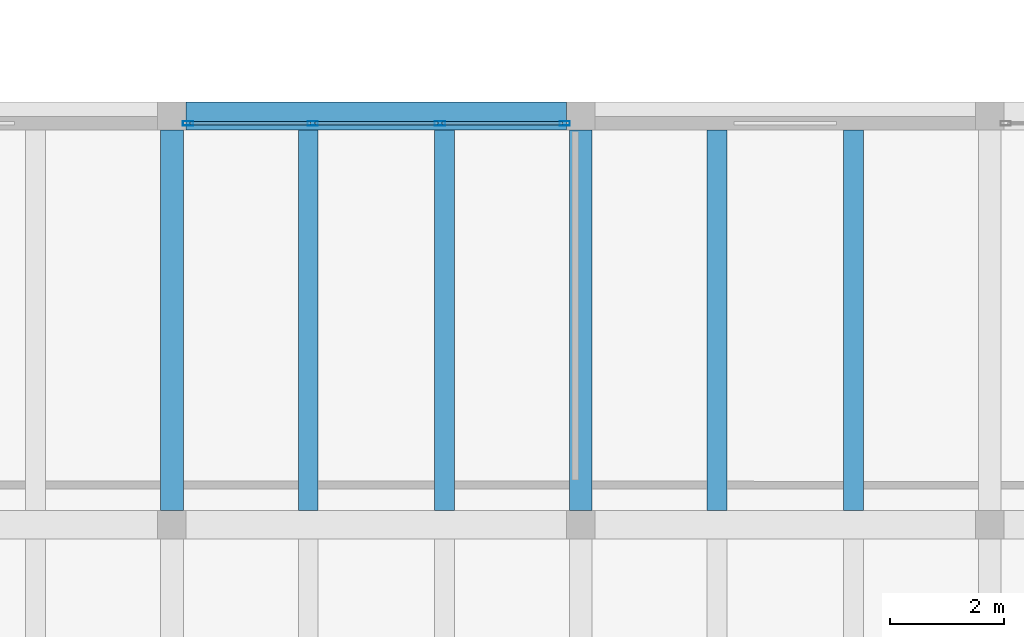
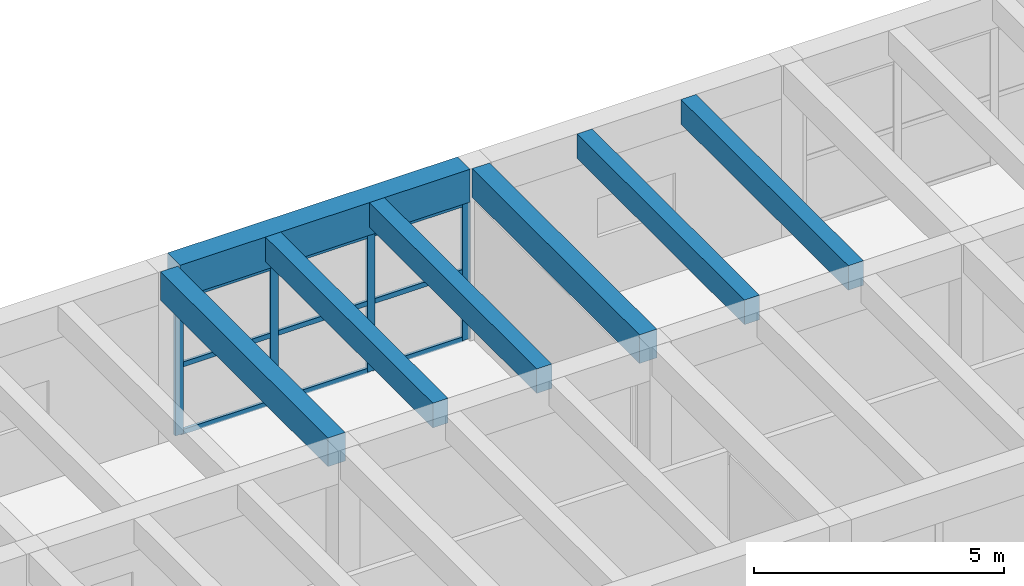
# One storey, part 109 of 153: 13 members, 7 beams, 1 element without a shape of its own.
"""IFC4 building model written with IfcOpenShell, lengths in metres."""

import ifcopenshell
import ifcopenshell.guid

model = None  # the IFC model being written
_history = None  # IfcOwnerHistory: only IFC2X3 demands one
_inside = {}  # id of a spatial element -> (the spatial element, [elements in it])
_under = {}  # id of a project, library or spatial element -> (it, [spatial elements below it])
_declared = {}  # id of a project -> (the project, [libraries it declares])
_typed = {}  # id of a type object -> (the type object, [elements of that type])
_made_of = {}  # id of a material, layer set ... -> (it, [elements and type objects made of it])


def new_model(schema):
    """Start an empty IFC model of exactly this schema.

    Asked for "IFC4X3", IfcOpenShell would pick the latest addendum, in which some entities
    have other attributes; the version numbers below select the first issue.
    IFC2X3 requires an IfcOwnerHistory on every rooted entity: one is made here for all.
    """
    global model, _history
    if schema == "IFC4X3":
        model = ifcopenshell.file(schema_version=(4, 3, 0, 0))
    else:
        model = ifcopenshell.file(schema=schema)
    _inside.clear()
    _under.clear()
    _declared.clear()
    _typed.clear()
    _made_of.clear()
    _history = None
    if model.schema == "IFC2X3":
        org = make("IfcOrganization", Name="unknown")
        user = make(
            "IfcPersonAndOrganization",
            ThePerson=make("IfcPerson", FamilyName="unknown"),
            TheOrganization=org,
        )
        app = make(
            "IfcApplication",
            ApplicationDeveloper=org,
            Version="unknown",
            ApplicationFullName="unknown",
            ApplicationIdentifier="unknown",
        )
        _history = make(
            "IfcOwnerHistory",
            OwningUser=user,
            OwningApplication=app,
            ChangeAction="ADDED",
            CreationDate=0,
        )
    return model


def make(cls, **values):
    """One entity of the class cls with the attributes given. An attribute that is None is left unset."""
    return model.create_entity(
        cls, **{name: value for name, value in values.items() if value is not None}
    )


def rooted(cls, **values):
    """An entity with a GlobalId (a new one), such as an element, a storey or a relation."""
    return make(cls, GlobalId=ifcopenshell.guid.new(), OwnerHistory=_history, **values)


def si_unit(unit_type, name, prefix=None):
    """IfcSIUnit, for example si_unit("LENGTHUNIT", "METRE", prefix="MILLI")."""
    return make("IfcSIUnit", UnitType=unit_type, Prefix=prefix, Name=name)


def assignment(units):
    """IfcUnitAssignment: the units of a project."""
    return None if units is None else make("IfcUnitAssignment", Units=units)


def point(xyz):
    """IfcCartesianPoint."""
    return None if xyz is None else make("IfcCartesianPoint", Coordinates=xyz)


def direction(xyz):
    """IfcDirection."""
    return None if xyz is None else make("IfcDirection", DirectionRatios=xyz)


def frame(location, z_axis=None, x_axis=None):
    """IfcAxis2Placement3D, a coordinate frame: its origin and axes. An axis left out is left unset."""
    return make(
        "IfcAxis2Placement3D",
        Location=point(location),
        Axis=direction(z_axis),
        RefDirection=direction(x_axis),
    )


def frame_2d(location, x_axis=None):
    """IfcAxis2Placement2D, a coordinate frame in the plane: its origin and x axis."""
    return make(
        "IfcAxis2Placement2D", Location=point(location), RefDirection=direction(x_axis)
    )


def origin():
    """The frame at (0, 0, 0) with its axes left unset."""
    return frame((0.0, 0.0, 0.0))


def origin_2d():
    """The frame at (0, 0) in the plane with its x axis left unset."""
    return frame_2d((0.0, 0.0))


def place(relative_to, where):
    """IfcLocalPlacement: puts the frame where relative to a parent placement (None: the world)."""
    return make(
        "IfcLocalPlacement", PlacementRelTo=relative_to, RelativePlacement=where
    )


def context(
    kind, dimensions, precision=None, world=None, true_north=None, identifier=None
):
    """IfcGeometricRepresentationContext, for example the 3D "Model" context."""
    return make(
        "IfcGeometricRepresentationContext",
        ContextIdentifier=identifier,
        ContextType=kind,
        CoordinateSpaceDimension=dimensions,
        Precision=precision,
        WorldCoordinateSystem=world,
        TrueNorth=true_north,
    )


def subcontext(parent, identifier, kind, view, scale=None):
    """IfcGeometricRepresentationSubContext, for example "Body" below "Model"."""
    return make(
        "IfcGeometricRepresentationSubContext",
        ContextIdentifier=identifier,
        ContextType=kind,
        ParentContext=parent,
        TargetScale=scale,
        TargetView=view,
    )


def project(units=None, contexts=None):
    """IfcProject with its units and contexts."""
    return rooted(
        "IfcProject",
        Name="project",
        RepresentationContexts=contexts,
        UnitsInContext=assignment(units),
    )


def spatial(cls, under=None, at=None, **own):
    """A site, building, storey or space (cls), placed at a placement, below another one or the project."""
    s = rooted(cls, ObjectPlacement=at, **own)
    if under is not None:
        _under.setdefault(under.id(), (under, []))[1].append(s)
    return s


def profile(cls, at=None, kind="AREA", **sizes):
    """A parametric profile (cls). Its sizes go by their IFC names, for example OverallWidth=200.0."""
    return make(cls, ProfileType=kind, Position=at, **sizes)


def rectangle(**sizes):
    """IfcRectangleProfileDef."""
    return profile("IfcRectangleProfileDef", **sizes)


def hollow_rectangle(**sizes):
    """IfcRectangleHollowProfileDef."""
    return profile("IfcRectangleHollowProfileDef", **sizes)


def extrude(swept, where, along, depth):
    """IfcExtrudedAreaSolid: the profile swept, set in the frame where, extruded along a direction by depth."""
    return make(
        "IfcExtrudedAreaSolid",
        SweptArea=swept,
        Position=where,
        ExtrudedDirection=direction(along),
        Depth=depth,
    )


def shape(context_of_items, identifier, shape_type, items):
    """IfcShapeRepresentation: the items that make up one representation, for example the "Body"."""
    return make(
        "IfcShapeRepresentation",
        ContextOfItems=context_of_items,
        RepresentationIdentifier=identifier,
        RepresentationType=shape_type,
        Items=items,
    )


def material(Name=None, Category=None):
    """IfcMaterial."""
    return make("IfcMaterial", Name=Name, Category=Category)


def material_profile(
    of_material, cross_section, Name=None, Category=None, Priority=None
):
    """IfcMaterialProfile: a cross section and its material."""
    return make(
        "IfcMaterialProfile",
        Name=Name,
        Material=of_material,
        Profile=cross_section,
        Priority=Priority,
        Category=Category,
    )


def profile_set(profiles, Name=None, composite=None):
    """IfcMaterialProfileSet."""
    return make(
        "IfcMaterialProfileSet",
        Name=Name,
        MaterialProfiles=profiles,
        CompositeProfile=composite,
    )


def made_of(thing, what):
    """Note that an element or type object is made of a material, layer set ...; save() writes the relation."""
    if what is not None:
        _made_of.setdefault(what.id(), (what, []))[1].append(thing)
    return thing


def type_object(cls, material=None, **own):
    """A type object (cls), such as IfcWallType, which elements share."""
    return made_of(rooted(cls, **own), material)


def element(
    cls,
    number,
    at=None,
    inside=None,
    cuts=None,
    type_object=None,
    material=None,
    context=None,
    identifier="Body",
    shape_type=None,
    held_by="IfcProductDefinitionShape",
    body=None,
    shapes=None,
    **own,
):
    """One element of the class cls, such as IfcWall. Its Tag is "e" and its number.

    at: its placement. inside: the storey or other place that contains it. cuts: it is an
    opening in that element (IfcRelVoidsElement). A single representation is given by context,
    identifier, shape_type and body (its items); several are given by shapes. held_by: the class
    of the entity that holds the representations. save() writes the other relations.
    """
    e = rooted(cls, Tag="e%d" % number, ObjectPlacement=at, **own)
    if body is not None:
        shapes = [shape(context, identifier, shape_type, body)]
    if shapes is not None:
        e.Representation = make(held_by, Representations=shapes)
    if inside is not None:
        _inside.setdefault(inside.id(), (inside, []))[1].append(e)
    if cuts is not None:
        rooted(
            "IfcRelVoidsElement", RelatingBuildingElement=cuts, RelatedOpeningElement=e
        )
    if type_object is not None:
        _typed.setdefault(type_object.id(), (type_object, []))[1].append(e)
    return made_of(e, material)


def aggregate(whole, parts):
    """IfcRelAggregates: a whole, such as a stair, and the parts it consists of."""
    return rooted("IfcRelAggregates", RelatingObject=whole, RelatedObjects=parts)


def save(model, path):
    """Write the relations noted so far, then the file.

    IfcRelAggregates (storeys below a building ...), IfcRelContainedInSpatialStructure (elements
    in a storey), IfcRelDefinesByType, IfcRelAssociatesMaterial and IfcRelDeclares: one each for
    every whole, place, type object, material and project.
    """
    for whole, parts in _under.values():
        aggregate(whole, parts)
    for where, things in _inside.values():
        rooted(
            "IfcRelContainedInSpatialStructure",
            RelatedElements=things,
            RelatingStructure=where,
        )
    for kind, things in _typed.values():
        rooted("IfcRelDefinesByType", RelatedObjects=things, RelatingType=kind)
    for what, things in _made_of.values():
        rooted("IfcRelAssociatesMaterial", RelatedObjects=things, RelatingMaterial=what)
    for by, libraries in _declared.values():
        rooted("IfcRelDeclares", RelatingContext=by, RelatedDefinitions=libraries)
    model.write(path)


model = new_model("IFC4")

# Units and contexts
model_context = context("Model", 3, precision=1e-05, world=origin(), true_north=direction((0.0, 1.0)))
body_context = subcontext(model_context, "Body", "Model", "MODEL_VIEW")
ifc_project = project(units=[si_unit("LENGTHUNIT", "METRE"), si_unit("AREAUNIT", "SQUARE_METRE"), si_unit("VOLUMEUNIT", "CUBIC_METRE"), si_unit("PLANEANGLEUNIT", "RADIAN"), si_unit("MASSUNIT", "GRAM", prefix="KILO")], contexts=[model_context])

# Site, building, storey
site_placement = place(None, origin())
site = spatial("IfcSite", under=ifc_project, at=site_placement, CompositionType="ELEMENT")
building_placement = place(site_placement, origin())
building = spatial("IfcBuilding", under=site, at=building_placement, Name="Bramvelor Terrace Health Centre", CompositionType="ELEMENT")
storey_placement = place(building_placement, frame((0.0, 0.0, 4.800048828125)))
storey = spatial("IfcBuildingStorey", under=building, at=storey_placement, Name="L02", CompositionType="ELEMENT", Elevation=4.800048828125)

# Beams
ifc_material_1 = material(Name="Concrete C40/50", Category="concrete")
ifc_material_profile_1 = material_profile(ifc_material_1, rectangle(XDim=0.39990234375, YDim=0.699951171875, at=origin_2d()), Name="RC 400x700")
ifc_profile_set_1 = profile_set([ifc_material_profile_1], Name="Concrete C40/50")
beam_type_1 = type_object("IfcBeamType", Name="BM-RC-G700", PredefinedType="BEAM", material=ifc_profile_set_1)
for number, where, z_axis, x_axis, name in (
    (1, (129.60009765625, 57.85009765625, 3.849853515625), (0.0, 1.0, 0.0), (-1.0, 0.0, 0.0), "L02 Floor Girder"),
    (2, (136.800048828125, 57.85009765625, 3.849853515625), (0.0, 1.0, 0.0), (-1.0, 0.0, 0.0), "L02 Floor Girder"),
):
    element("IfcBeam", number, at=place(storey_placement, frame(where, z_axis=z_axis, x_axis=x_axis)), inside=storey, type_object=beam_type_1, Name=name, PredefinedType="BEAM", context=body_context, shape_type="SweptSolid", body=[
        extrude(rectangle(XDim=0.39990234375, YDim=0.699951171875, at=origin_2d()), origin(), (0.0, 0.0, 1.0), 6.699951171875),
    ])
ifc_material_2 = material(Name="Concrete C40/50", Category="concrete")
ifc_material_profile_2 = material_profile(ifc_material_2, rectangle(XDim=0.5, YDim=0.800048828125, at=origin_2d()), Name="RC 500x800")
ifc_profile_set_2 = profile_set([ifc_material_profile_2], Name="Concrete C40/50")
beam_type_2 = type_object("IfcBeamType", Name="BM-RC-G800", PredefinedType="BEAM", material=ifc_profile_set_2)
beam_placement = place(storey_placement, frame((129.85009765625, 64.800048828125, 3.800048828125), z_axis=(1.0, 0.0, 0.0), x_axis=(0.0, 1.0, 0.0)))
element("IfcBeam", 3, at=beam_placement, inside=storey, type_object=beam_type_2, Name="L02 Floor Girder", PredefinedType="BEAM", context=body_context, shape_type="SweptSolid", body=[
    extrude(rectangle(XDim=0.5, YDim=0.800048828125, at=origin_2d()), origin(), (0.0, 0.0, 1.0), 6.699951171875),
])
ifc_material_3 = material(Name="Concrete C40/50", Category="concrete")
ifc_material_profile_3 = material_profile(ifc_material_3, rectangle(XDim=0.35009765625, YDim=0.60009765625, at=origin_2d()), Name="RC 350x600")
ifc_profile_set_3 = profile_set([ifc_material_profile_3], Name="Concrete C40/50")
beam_type_3 = type_object("IfcBeamType", Name="BM-RC-J600", PredefinedType="JOIST", material=ifc_profile_set_3)
for number, where, z_axis, x_axis, name in (
    (4, (132.0, 57.85009765625, 3.89990234375), (0.0, 1.0, 0.0), (-1.0, 0.0, 0.0), "L02 Secondary Floor Joist"),
    (5, (134.39990234375, 57.85009765625, 3.89990234375), (0.0, 1.0, 0.0), (-1.0, 0.0, 0.0), "L02 Secondary Floor Joist"),
    (6, (139.199951171875, 57.85009765625, 3.89990234375), (0.0, 1.0, 0.0), (-1.0, 0.0, 0.0), "L02 Secondary Floor Joist"),
    (7, (141.60009765625, 57.85009765625, 3.89990234375), (0.0, 1.0, 0.0), (-1.0, 0.0, 0.0), "L02 Secondary Floor Joist"),
):
    element("IfcBeam", number, at=place(storey_placement, frame(where, z_axis=z_axis, x_axis=x_axis)), inside=storey, type_object=beam_type_3, Name=name, PredefinedType="JOIST", context=body_context, shape_type="SweptSolid", body=[
        extrude(rectangle(XDim=0.35009765625, YDim=0.60009765625, at=origin_2d()), origin(), (0.0, 0.0, 1.0), 6.699951171875),
    ])

# Curtain wall, members
ifc_material_4 = material(Name="Anodized aluminium and double low-E glass", Category="aluminium")
curtain_wall_type = type_object("IfcCurtainWallType", Name="CW-SYS-16", PredefinedType="NOTDEFINED", material=ifc_material_4)
curtain_wall_placement = place(storey_placement, origin())
curtain_wall = element("IfcCurtainWall", 8, at=curtain_wall_placement, inside=storey, type_object=curtain_wall_type, Name="L02 Unitized Curtain Wall 103", PredefinedType="NOTDEFINED")
ifc_material_5 = material(Name="Anodized aluminium 6063-T6", Category="aluminium")
ifc_material_profile_4 = material_profile(ifc_material_5, hollow_rectangle(XDim=0.074951171875, YDim=0.179931640625, WallThickness=0.00341796875, at=origin_2d()), Name="ALU-MUL 75x180x3.5")
ifc_profile_set_4 = profile_set([ifc_material_profile_4], Name="Anodized aluminium 6063-T6")
member_type_1 = type_object("IfcMemberType", Name="CW-MUL-65x180", PredefinedType="MULLION", material=ifc_profile_set_4)
member_1_placement = place(storey_placement, frame((129.882568359375, 64.669921875, 0.0), z_axis=(0.0, 0.0, 1.0), x_axis=(0.0, 1.0, 0.0)))
member_1 = element("IfcMember", 9, at=member_1_placement, type_object=member_type_1, Name="CW-16 mullion 1", PredefinedType="MULLION", context=body_context, shape_type="SweptSolid", body=[
    extrude(hollow_rectangle(XDim=0.074951171875, YDim=0.179931640625, WallThickness=0.00341796875, at=origin_2d()), origin(), (0.0, 0.0, 1.0), 3.35986328125),
])
member_2_placement = place(storey_placement, frame((132.081787109375, 64.669921875, 0.0), z_axis=(0.0, 0.0, 1.0), x_axis=(0.0, 1.0, 0.0)))
member_2 = element("IfcMember", 10, at=member_2_placement, type_object=member_type_1, Name="CW-16 mullion 2", PredefinedType="MULLION", context=body_context, shape_type="SweptSolid", body=[
    extrude(hollow_rectangle(XDim=0.074951171875, YDim=0.179931640625, WallThickness=0.00341796875, at=origin_2d()), origin(), (0.0, 0.0, 1.0), 3.35986328125),
])
member_3_placement = place(storey_placement, frame((134.318359375, 64.669921875, 0.0), z_axis=(0.0, 0.0, 1.0), x_axis=(0.0, 1.0, 0.0)))
member_3 = element("IfcMember", 11, at=member_3_placement, type_object=member_type_1, Name="CW-16 mullion 3", PredefinedType="MULLION", context=body_context, shape_type="SweptSolid", body=[
    extrude(hollow_rectangle(XDim=0.074951171875, YDim=0.179931640625, WallThickness=0.00341796875, at=origin_2d()), origin(), (0.0, 0.0, 1.0), 3.35986328125),
])
member_4_placement = place(storey_placement, frame((136.517578125, 64.669921875, 0.0), z_axis=(0.0, 0.0, 1.0), x_axis=(0.0, 1.0, 0.0)))
member_4 = element("IfcMember", 12, at=member_4_placement, type_object=member_type_1, Name="CW-16 mullion 4", PredefinedType="MULLION", context=body_context, shape_type="SweptSolid", body=[
    extrude(hollow_rectangle(XDim=0.074951171875, YDim=0.179931640625, WallThickness=0.00341796875, at=origin_2d()), origin(), (0.0, 0.0, 1.0), 3.35986328125),
])
ifc_material_6 = material(Name="Anodized aluminium 6063-T6", Category="aluminium")
ifc_material_profile_5 = material_profile(ifc_material_6, hollow_rectangle(XDim=0.06494140625, YDim=0.1201171875, WallThickness=0.0029296875, at=origin_2d()), Name="ALU-TRN 65x120x3.0")
ifc_profile_set_5 = profile_set([ifc_material_profile_5], Name="Anodized aluminium 6063-T6")
member_type_2 = type_object("IfcMemberType", Name="CW-TRN-65x150", PredefinedType="USERDEFINED", material=ifc_profile_set_5)
member_5_placement = place(storey_placement, frame((129.919921875, 64.669921875, 0.032470703125), z_axis=(1.0, 0.0, 0.0), x_axis=(0.0, 1.0, 0.0)))
member_5 = element("IfcMember", 13, at=member_5_placement, type_object=member_type_2, Name="CW-16 transom 1.1", ObjectType="TRANSOM", PredefinedType="USERDEFINED", context=body_context, shape_type="SweptSolid", body=[
    extrude(hollow_rectangle(XDim=0.06494140625, YDim=0.1201171875, WallThickness=0.0029296875, at=origin_2d()), origin(), (0.0, 0.0, 1.0), 2.124267578125),
])
member_6_placement = place(storey_placement, frame((129.919921875, 64.669921875, 1.679931640625), z_axis=(1.0, 0.0, 0.0), x_axis=(0.0, 1.0, 0.0)))
member_6 = element("IfcMember", 14, at=member_6_placement, type_object=member_type_2, Name="CW-16 transom 1.2", ObjectType="TRANSOM", PredefinedType="USERDEFINED", context=body_context, shape_type="SweptSolid", body=[
    extrude(hollow_rectangle(XDim=0.06494140625, YDim=0.1201171875, WallThickness=0.0029296875, at=origin_2d()), origin(), (0.0, 0.0, 1.0), 2.124267578125),
])
member_7_placement = place(storey_placement, frame((129.919921875, 64.669921875, 3.327392578125), z_axis=(1.0, 0.0, 0.0), x_axis=(0.0, 1.0, 0.0)))
member_7 = element("IfcMember", 15, at=member_7_placement, type_object=member_type_2, Name="CW-16 transom 1.3", ObjectType="TRANSOM", PredefinedType="USERDEFINED", context=body_context, shape_type="SweptSolid", body=[
    extrude(hollow_rectangle(XDim=0.06494140625, YDim=0.1201171875, WallThickness=0.0029296875, at=origin_2d()), origin(), (0.0, 0.0, 1.0), 2.124267578125),
])
member_8_placement = place(storey_placement, frame((132.119140625, 64.669921875, 0.032470703125), z_axis=(1.0, 0.0, 0.0), x_axis=(0.0, 1.0, 0.0)))
member_8 = element("IfcMember", 16, at=member_8_placement, type_object=member_type_2, Name="CW-16 transom 2.1", ObjectType="TRANSOM", PredefinedType="USERDEFINED", context=body_context, shape_type="SweptSolid", body=[
    extrude(hollow_rectangle(XDim=0.06494140625, YDim=0.1201171875, WallThickness=0.0029296875, at=origin_2d()), origin(), (0.0, 0.0, 1.0), 2.16162109375),
])
member_9_placement = place(storey_placement, frame((132.119140625, 64.669921875, 1.679931640625), z_axis=(1.0, 0.0, 0.0), x_axis=(0.0, 1.0, 0.0)))
member_9 = element("IfcMember", 17, at=member_9_placement, type_object=member_type_2, Name="CW-16 transom 2.2", ObjectType="TRANSOM", PredefinedType="USERDEFINED", context=body_context, shape_type="SweptSolid", body=[
    extrude(hollow_rectangle(XDim=0.06494140625, YDim=0.1201171875, WallThickness=0.0029296875, at=origin_2d()), origin(), (0.0, 0.0, 1.0), 2.16162109375),
])
member_10_placement = place(storey_placement, frame((132.119140625, 64.669921875, 3.327392578125), z_axis=(1.0, 0.0, 0.0), x_axis=(0.0, 1.0, 0.0)))
member_10 = element("IfcMember", 18, at=member_10_placement, type_object=member_type_2, Name="CW-16 transom 2.3", ObjectType="TRANSOM", PredefinedType="USERDEFINED", context=body_context, shape_type="SweptSolid", body=[
    extrude(hollow_rectangle(XDim=0.06494140625, YDim=0.1201171875, WallThickness=0.0029296875, at=origin_2d()), origin(), (0.0, 0.0, 1.0), 2.16162109375),
])
member_11_placement = place(storey_placement, frame((134.355712890625, 64.669921875, 0.032470703125), z_axis=(1.0, 0.0, 0.0), x_axis=(0.0, 1.0, 0.0)))
member_11 = element("IfcMember", 19, at=member_11_placement, type_object=member_type_2, Name="CW-16 transom 3.1", ObjectType="TRANSOM", PredefinedType="USERDEFINED", context=body_context, shape_type="SweptSolid", body=[
    extrude(hollow_rectangle(XDim=0.06494140625, YDim=0.1201171875, WallThickness=0.0029296875, at=origin_2d()), origin(), (0.0, 0.0, 1.0), 2.124267578125),
])
member_12_placement = place(storey_placement, frame((134.355712890625, 64.669921875, 1.679931640625), z_axis=(1.0, 0.0, 0.0), x_axis=(0.0, 1.0, 0.0)))
member_12 = element("IfcMember", 20, at=member_12_placement, type_object=member_type_2, Name="CW-16 transom 3.2", ObjectType="TRANSOM", PredefinedType="USERDEFINED", context=body_context, shape_type="SweptSolid", body=[
    extrude(hollow_rectangle(XDim=0.06494140625, YDim=0.1201171875, WallThickness=0.0029296875, at=origin_2d()), origin(), (0.0, 0.0, 1.0), 2.124267578125),
])
member_13_placement = place(storey_placement, frame((134.355712890625, 64.669921875, 3.327392578125), z_axis=(1.0, 0.0, 0.0), x_axis=(0.0, 1.0, 0.0)))
member_13 = element("IfcMember", 21, at=member_13_placement, type_object=member_type_2, Name="CW-16 transom 3.3", ObjectType="TRANSOM", PredefinedType="USERDEFINED", context=body_context, shape_type="SweptSolid", body=[
    extrude(hollow_rectangle(XDim=0.06494140625, YDim=0.1201171875, WallThickness=0.0029296875, at=origin_2d()), origin(), (0.0, 0.0, 1.0), 2.124267578125),
])
aggregate(curtain_wall, [member_1, member_2, member_3, member_4, member_5, member_6, member_7, member_8, member_9, member_10, member_11, member_12, member_13])

save(model, "model.ifc")
